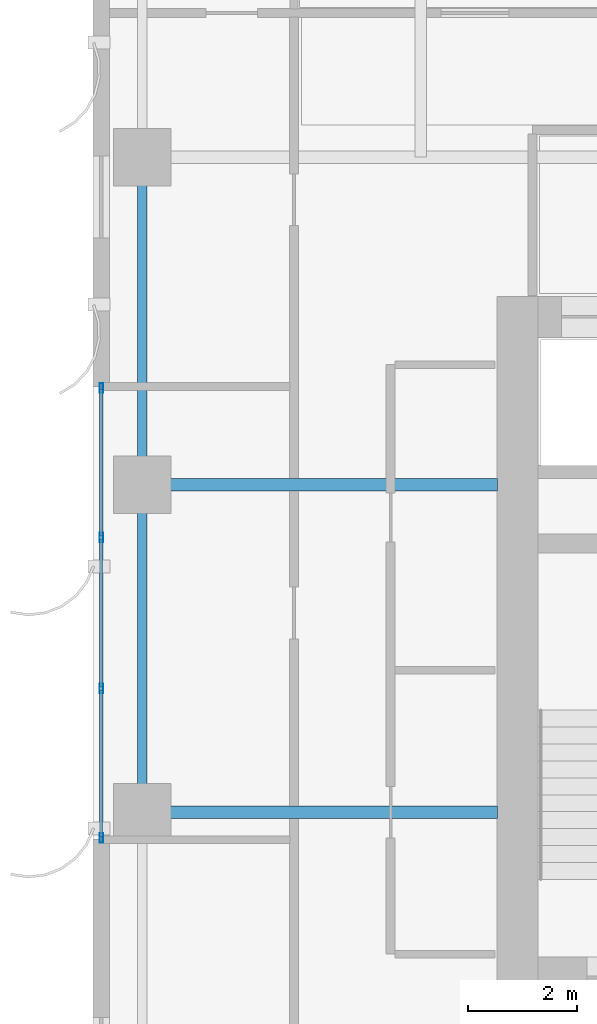
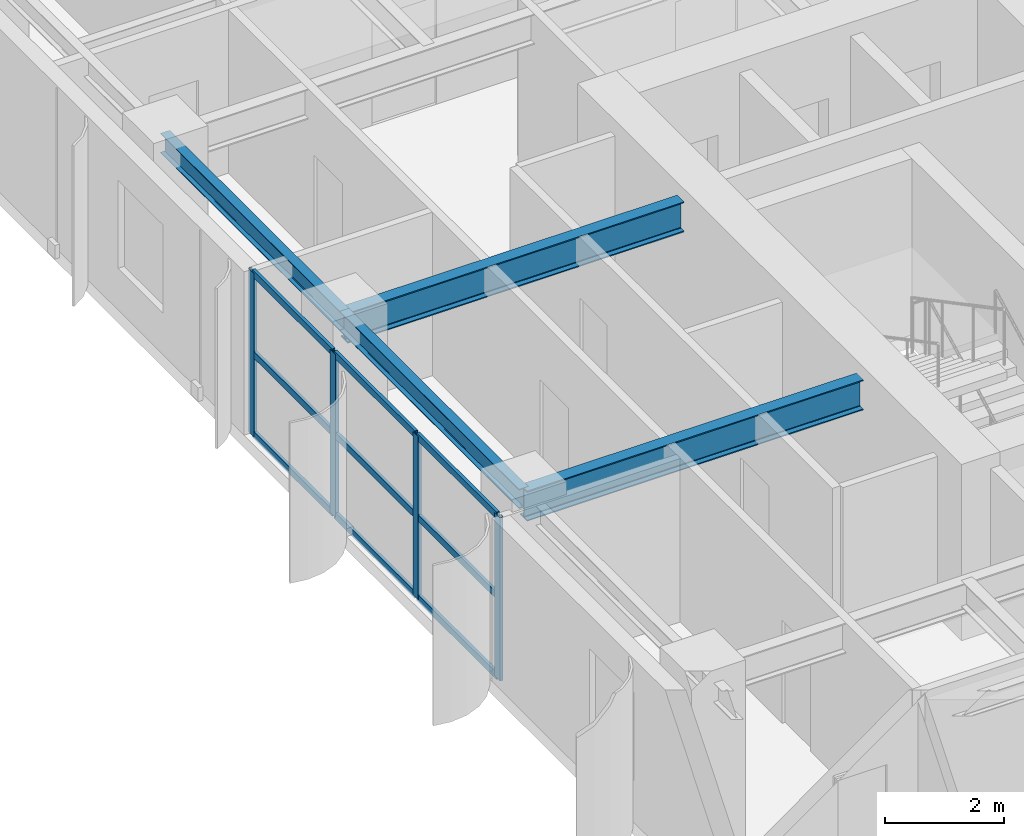
# One storey, part 4 of 22: 13 members, 4 beams, 1 element without a shape of its own.
"""IFC4 building model written with IfcOpenShell, lengths in metres."""

import ifcopenshell
import ifcopenshell.guid

model = None  # the IFC model being written
_history = None  # IfcOwnerHistory: only IFC2X3 demands one
_inside = {}  # id of a spatial element -> (the spatial element, [elements in it])
_under = {}  # id of a project, library or spatial element -> (it, [spatial elements below it])
_declared = {}  # id of a project -> (the project, [libraries it declares])
_typed = {}  # id of a type object -> (the type object, [elements of that type])
_made_of = {}  # id of a material, layer set ... -> (it, [elements and type objects made of it])


def new_model(schema):
    """Start an empty IFC model of exactly this schema.

    Asked for "IFC4X3", IfcOpenShell would pick the latest addendum, in which some entities
    have other attributes; the version numbers below select the first issue.
    IFC2X3 requires an IfcOwnerHistory on every rooted entity: one is made here for all.
    """
    global model, _history
    if schema == "IFC4X3":
        model = ifcopenshell.file(schema_version=(4, 3, 0, 0))
    else:
        model = ifcopenshell.file(schema=schema)
    _inside.clear()
    _under.clear()
    _declared.clear()
    _typed.clear()
    _made_of.clear()
    _history = None
    if model.schema == "IFC2X3":
        org = make("IfcOrganization", Name="unknown")
        user = make(
            "IfcPersonAndOrganization",
            ThePerson=make("IfcPerson", FamilyName="unknown"),
            TheOrganization=org,
        )
        app = make(
            "IfcApplication",
            ApplicationDeveloper=org,
            Version="unknown",
            ApplicationFullName="unknown",
            ApplicationIdentifier="unknown",
        )
        _history = make(
            "IfcOwnerHistory",
            OwningUser=user,
            OwningApplication=app,
            ChangeAction="ADDED",
            CreationDate=0,
        )
    return model


def make(cls, **values):
    """One entity of the class cls with the attributes given. An attribute that is None is left unset."""
    return model.create_entity(
        cls, **{name: value for name, value in values.items() if value is not None}
    )


def rooted(cls, **values):
    """An entity with a GlobalId (a new one), such as an element, a storey or a relation."""
    return make(cls, GlobalId=ifcopenshell.guid.new(), OwnerHistory=_history, **values)


def si_unit(unit_type, name, prefix=None):
    """IfcSIUnit, for example si_unit("LENGTHUNIT", "METRE", prefix="MILLI")."""
    return make("IfcSIUnit", UnitType=unit_type, Prefix=prefix, Name=name)


def assignment(units):
    """IfcUnitAssignment: the units of a project."""
    return None if units is None else make("IfcUnitAssignment", Units=units)


def point(xyz):
    """IfcCartesianPoint."""
    return None if xyz is None else make("IfcCartesianPoint", Coordinates=xyz)


def direction(xyz):
    """IfcDirection."""
    return None if xyz is None else make("IfcDirection", DirectionRatios=xyz)


def frame(location, z_axis=None, x_axis=None):
    """IfcAxis2Placement3D, a coordinate frame: its origin and axes. An axis left out is left unset."""
    return make(
        "IfcAxis2Placement3D",
        Location=point(location),
        Axis=direction(z_axis),
        RefDirection=direction(x_axis),
    )


def frame_2d(location, x_axis=None):
    """IfcAxis2Placement2D, a coordinate frame in the plane: its origin and x axis."""
    return make(
        "IfcAxis2Placement2D", Location=point(location), RefDirection=direction(x_axis)
    )


def origin():
    """The frame at (0, 0, 0) with its axes left unset."""
    return frame((0.0, 0.0, 0.0))


def origin_2d():
    """The frame at (0, 0) in the plane with its x axis left unset."""
    return frame_2d((0.0, 0.0))


def place(relative_to, where):
    """IfcLocalPlacement: puts the frame where relative to a parent placement (None: the world)."""
    return make(
        "IfcLocalPlacement", PlacementRelTo=relative_to, RelativePlacement=where
    )


def context(
    kind, dimensions, precision=None, world=None, true_north=None, identifier=None
):
    """IfcGeometricRepresentationContext, for example the 3D "Model" context."""
    return make(
        "IfcGeometricRepresentationContext",
        ContextIdentifier=identifier,
        ContextType=kind,
        CoordinateSpaceDimension=dimensions,
        Precision=precision,
        WorldCoordinateSystem=world,
        TrueNorth=true_north,
    )


def subcontext(parent, identifier, kind, view, scale=None):
    """IfcGeometricRepresentationSubContext, for example "Body" below "Model"."""
    return make(
        "IfcGeometricRepresentationSubContext",
        ContextIdentifier=identifier,
        ContextType=kind,
        ParentContext=parent,
        TargetScale=scale,
        TargetView=view,
    )


def project(units=None, contexts=None):
    """IfcProject with its units and contexts."""
    return rooted(
        "IfcProject",
        Name="project",
        RepresentationContexts=contexts,
        UnitsInContext=assignment(units),
    )


def spatial(cls, under=None, at=None, **own):
    """A site, building, storey or space (cls), placed at a placement, below another one or the project."""
    s = rooted(cls, ObjectPlacement=at, **own)
    if under is not None:
        _under.setdefault(under.id(), (under, []))[1].append(s)
    return s


def profile(cls, at=None, kind="AREA", **sizes):
    """A parametric profile (cls). Its sizes go by their IFC names, for example OverallWidth=200.0."""
    return make(cls, ProfileType=kind, Position=at, **sizes)


def hollow_rectangle(**sizes):
    """IfcRectangleHollowProfileDef."""
    return profile("IfcRectangleHollowProfileDef", **sizes)


def i_section(**sizes):
    """IfcIShapeProfileDef."""
    return profile("IfcIShapeProfileDef", **sizes)


def extrude(swept, where, along, depth):
    """IfcExtrudedAreaSolid: the profile swept, set in the frame where, extruded along a direction by depth."""
    return make(
        "IfcExtrudedAreaSolid",
        SweptArea=swept,
        Position=where,
        ExtrudedDirection=direction(along),
        Depth=depth,
    )


def shape(context_of_items, identifier, shape_type, items):
    """IfcShapeRepresentation: the items that make up one representation, for example the "Body"."""
    return make(
        "IfcShapeRepresentation",
        ContextOfItems=context_of_items,
        RepresentationIdentifier=identifier,
        RepresentationType=shape_type,
        Items=items,
    )


def source(mapping_origin, context_of_items, identifier, shape_type, items):
    """IfcRepresentationMap: a shape defined once, which mapped items show again and again."""
    return make(
        "IfcRepresentationMap",
        MappingOrigin=mapping_origin,
        MappedRepresentation=shape(context_of_items, identifier, shape_type, items),
    )


def transform(
    local_origin,
    x_axis=None,
    y_axis=None,
    z_axis=None,
    scale=None,
    scale2=None,
    scale3=None,
    uniform=True,
):
    """IfcCartesianTransformationOperator3D, or its non-uniform kind. x_axis, y_axis, z_axis: its Axis1, 2, 3."""
    if uniform:
        return make(
            "IfcCartesianTransformationOperator3D",
            Axis1=direction(x_axis),
            Axis2=direction(y_axis),
            LocalOrigin=point(local_origin),
            Scale=scale,
            Axis3=direction(z_axis),
        )
    return make(
        "IfcCartesianTransformationOperator3DnonUniform",
        Axis1=direction(x_axis),
        Axis2=direction(y_axis),
        LocalOrigin=point(local_origin),
        Scale=scale,
        Axis3=direction(z_axis),
        Scale2=scale2,
        Scale3=scale3,
    )


def mapped(mapping_source, mapping_target):
    """IfcMappedItem: shows the shape of a source again, moved by a transform."""
    return make(
        "IfcMappedItem", MappingSource=mapping_source, MappingTarget=mapping_target
    )


def material(Name=None, Category=None):
    """IfcMaterial."""
    return make("IfcMaterial", Name=Name, Category=Category)


def layer(
    of_material, thickness, ventilated=None, Name=None, Category=None, Priority=None
):
    """IfcMaterialLayer: one layer of a wall or slab, of a material (None: an air gap)."""
    return make(
        "IfcMaterialLayer",
        Material=of_material,
        LayerThickness=thickness,
        IsVentilated=ventilated,
        Name=Name,
        Category=Category,
        Priority=Priority,
    )


def layer_set(layers, Name=None):
    """IfcMaterialLayerSet."""
    return make("IfcMaterialLayerSet", MaterialLayers=layers, LayerSetName=Name)


def material_profile(
    of_material, cross_section, Name=None, Category=None, Priority=None
):
    """IfcMaterialProfile: a cross section and its material."""
    return make(
        "IfcMaterialProfile",
        Name=Name,
        Material=of_material,
        Profile=cross_section,
        Priority=Priority,
        Category=Category,
    )


def profile_set(profiles, Name=None, composite=None):
    """IfcMaterialProfileSet."""
    return make(
        "IfcMaterialProfileSet",
        Name=Name,
        MaterialProfiles=profiles,
        CompositeProfile=composite,
    )


def made_of(thing, what):
    """Note that an element or type object is made of a material, layer set ...; save() writes the relation."""
    if what is not None:
        _made_of.setdefault(what.id(), (what, []))[1].append(thing)
    return thing


def type_object(cls, material=None, **own):
    """A type object (cls), such as IfcWallType, which elements share."""
    return made_of(rooted(cls, **own), material)


def element(
    cls,
    number,
    at=None,
    inside=None,
    cuts=None,
    type_object=None,
    material=None,
    context=None,
    identifier="Body",
    shape_type=None,
    held_by="IfcProductDefinitionShape",
    body=None,
    shapes=None,
    **own,
):
    """One element of the class cls, such as IfcWall. Its Tag is "e" and its number.

    at: its placement. inside: the storey or other place that contains it. cuts: it is an
    opening in that element (IfcRelVoidsElement). A single representation is given by context,
    identifier, shape_type and body (its items); several are given by shapes. held_by: the class
    of the entity that holds the representations. save() writes the other relations.
    """
    e = rooted(cls, Tag="e%d" % number, ObjectPlacement=at, **own)
    if body is not None:
        shapes = [shape(context, identifier, shape_type, body)]
    if shapes is not None:
        e.Representation = make(held_by, Representations=shapes)
    if inside is not None:
        _inside.setdefault(inside.id(), (inside, []))[1].append(e)
    if cuts is not None:
        rooted(
            "IfcRelVoidsElement", RelatingBuildingElement=cuts, RelatedOpeningElement=e
        )
    if type_object is not None:
        _typed.setdefault(type_object.id(), (type_object, []))[1].append(e)
    return made_of(e, material)


def aggregate(whole, parts):
    """IfcRelAggregates: a whole, such as a stair, and the parts it consists of."""
    return rooted("IfcRelAggregates", RelatingObject=whole, RelatedObjects=parts)


def save(model, path):
    """Write the relations noted so far, then the file.

    IfcRelAggregates (storeys below a building ...), IfcRelContainedInSpatialStructure (elements
    in a storey), IfcRelDefinesByType, IfcRelAssociatesMaterial and IfcRelDeclares: one each for
    every whole, place, type object, material and project.
    """
    for whole, parts in _under.values():
        aggregate(whole, parts)
    for where, things in _inside.values():
        rooted(
            "IfcRelContainedInSpatialStructure",
            RelatedElements=things,
            RelatingStructure=where,
        )
    for kind, things in _typed.values():
        rooted("IfcRelDefinesByType", RelatedObjects=things, RelatingType=kind)
    for what, things in _made_of.values():
        rooted("IfcRelAssociatesMaterial", RelatedObjects=things, RelatingMaterial=what)
    for by, libraries in _declared.values():
        rooted("IfcRelDeclares", RelatingContext=by, RelatedDefinitions=libraries)
    model.write(path)


model = new_model("IFC4")

# Units and contexts
model_context = context("Model", 3, precision=1e-05, world=origin(), true_north=direction((0.0, 1.0)))
body_context = subcontext(model_context, "Body", "Model", "MODEL_VIEW")
ifc_project = project(units=[si_unit("LENGTHUNIT", "METRE"), si_unit("AREAUNIT", "SQUARE_METRE"), si_unit("VOLUMEUNIT", "CUBIC_METRE"), si_unit("PLANEANGLEUNIT", "RADIAN"), si_unit("MASSUNIT", "GRAM", prefix="KILO")], contexts=[model_context])

# Site, building, storey
site_placement = place(None, origin())
site = spatial("IfcSite", under=ifc_project, at=site_placement, CompositionType="ELEMENT")
building_placement = place(site_placement, origin())
building = spatial("IfcBuilding", under=site, at=building_placement, Name="Khoralis Quay Care Tower", CompositionType="ELEMENT")
storey_placement = place(building_placement, frame((0.0, 0.0, 101.699951171875)))
storey = spatial("IfcBuildingStorey", under=building, at=storey_placement, Name="L26", CompositionType="ELEMENT", Elevation=101.699951171875)

# Beams
ifc_material_1 = material(Name="Steel S355", Category="steel")
ifc_material_profile_1 = material_profile(ifc_material_1, i_section(OverallWidth=0.179931640625, OverallDepth=0.39990234375, WebThickness=0.008544921875, FlangeThickness=0.013427734375, FilletRadius=0.02099609375, at=origin_2d()), Name="Steel S355")
ifc_profile_set_1 = profile_set([ifc_material_profile_1], Name="Steel S355")
beam_type_1 = type_object("IfcBeamType", Name="BM-IPE400", PredefinedType="SPANDREL", material=ifc_profile_set_1)
shared_shape_1 = source(origin(), body_context, "Body", "SweptSolid", [
    extrude(i_section(OverallWidth=0.179931640625, OverallDepth=0.39990234375, WebThickness=0.008544921875, FlangeThickness=0.013427734375, FilletRadius=0.02099609375, at=origin_2d()), origin(), (0.0, 0.0, 1.0), 6.0),
])
for number, where, z_axis, x_axis, name in (
    (1, (0.89990234375, 18.0, 3.14013671875), (0.0, 1.0, 0.0), (-1.0, 0.0, 0.0), "BM-TSP-L26-13"),
    (2, (0.89990234375, 24.0, 3.14013671875), (0.0, 1.0, 0.0), (-1.0, 0.0, 0.0), "BM-TSP-L26-14"),
):
    element("IfcBeam", number, at=place(storey_placement, frame(where, z_axis=z_axis, x_axis=x_axis)), inside=storey, type_object=beam_type_1, Name=name, PredefinedType="SPANDREL", context=body_context, shape_type="MappedRepresentation", body=[
        mapped(shared_shape_1, transform((0.0, 0.0, 0.0), scale=1.0)),
    ])
ifc_material_profile_2 = material_profile(ifc_material_1, i_section(OverallWidth=0.22998046875, OverallDepth=0.616943359375, WebThickness=0.01318359375, FlangeThickness=0.022216796875, FilletRadius=0.01806640625, at=origin_2d()), Name="Steel S355")
ifc_profile_set_2 = profile_set([ifc_material_profile_2], Name="Steel S355")
beam_type_2 = type_object("IfcBeamType", Name="BM-W610X140", PredefinedType="BEAM", material=ifc_profile_set_2)
shared_shape_2 = source(origin(), body_context, "Body", "SweptSolid", [
    extrude(i_section(OverallWidth=0.22998046875, OverallDepth=0.616943359375, WebThickness=0.01318359375, FlangeThickness=0.022216796875, FilletRadius=0.01806640625, at=origin_2d()), origin(), (0.0, 0.0, 1.0), 6.502197265625),
])
for number, where, z_axis, x_axis, name in (
    (3, (0.89990234375, 18.0, 3.031494140625), (1.0, 0.0, 0.0), (0.0, 1.0, 0.0), "BM-TGXW-L26-180"),
    (4, (0.89990234375, 24.0, 3.031494140625), (1.0, 0.0, 0.0), (0.0, 1.0, 0.0), "BM-TGXW-L26-240"),
):
    element("IfcBeam", number, at=place(storey_placement, frame(where, z_axis=z_axis, x_axis=x_axis)), inside=storey, type_object=beam_type_2, Name=name, PredefinedType="BEAM", context=body_context, shape_type="MappedRepresentation", body=[
        mapped(shared_shape_2, transform((0.0, 0.0, 0.0), scale=1.0)),
    ])

# Curtain wall, members
ifc_material_2 = material(Name="Pale anodised aluminium", Category="aluminium")
ifc_layer = layer(ifc_material_2, 0.169921875)
ifc_layer_set = layer_set([ifc_layer], Name="Pale anodised aluminium")
curtain_wall_type = type_object("IfcCurtainWallType", Name="CW-SYS-Z2", PredefinedType="NOTDEFINED", material=ifc_layer_set)
curtain_wall_placement = place(storey_placement, origin())
curtain_wall = element("IfcCurtainWall", 5, at=curtain_wall_placement, inside=storey, type_object=curtain_wall_type, Name="L26 Unitised Curtain Wall CW-L26-P1-E15", PredefinedType="NOTDEFINED")
ifc_material_profile_3 = material_profile(ifc_material_2, hollow_rectangle(XDim=0.06494140625, YDim=0.179931640625, WallThickness=0.00390625, at=origin_2d()), Name="Pale anodised aluminium")
ifc_profile_set_3 = profile_set([ifc_material_profile_3], Name="Pale anodised aluminium")
member_type_1 = type_object("IfcMemberType", Name="CW-MUL-180", PredefinedType="MULLION", material=ifc_profile_set_3)
shared_shape_3 = source(origin(), body_context, "Body", "SweptSolid", [
    extrude(hollow_rectangle(XDim=0.06494140625, YDim=0.179931640625, WallThickness=0.00390625, at=origin_2d()), origin(), (0.0, 0.0, 1.0), 3.340087890625),
])
member_1_placement = place(storey_placement, frame((0.14990234375, 25.77001953125, 0.0), z_axis=(0.0, 0.0, 1.0), x_axis=(1.0, 0.0, 0.0)))
member_1 = element("IfcMember", 6, at=member_1_placement, type_object=member_type_1, Name="CW2 mullion 1", PredefinedType="MULLION", context=body_context, shape_type="MappedRepresentation", body=[
    mapped(shared_shape_3, transform((0.0, 0.0, 0.0), scale=1.0)),
])
member_2_placement = place(storey_placement, frame((0.14990234375, 23.033447265625, 0.0), z_axis=(0.0, 0.0, 1.0), x_axis=(1.0, 0.0, 0.0)))
member_2 = element("IfcMember", 7, at=member_2_placement, type_object=member_type_1, Name="CW2 mullion 2", PredefinedType="MULLION", context=body_context, shape_type="MappedRepresentation", body=[
    mapped(shared_shape_3, transform((0.0, 0.0, 0.0), scale=1.0)),
])
member_3_placement = place(storey_placement, frame((0.14990234375, 20.2666015625, 0.0), z_axis=(0.0, 0.0, 1.0), x_axis=(1.0, 0.0, 0.0)))
member_3 = element("IfcMember", 8, at=member_3_placement, type_object=member_type_1, Name="CW2 mullion 3", PredefinedType="MULLION", context=body_context, shape_type="MappedRepresentation", body=[
    mapped(shared_shape_3, transform((0.0, 0.0, 0.0), scale=1.0)),
])
member_4_placement = place(storey_placement, frame((0.14990234375, 17.530029296875, 0.0), z_axis=(0.0, 0.0, 1.0), x_axis=(1.0, 0.0, 0.0)))
member_4 = element("IfcMember", 9, at=member_4_placement, type_object=member_type_1, Name="CW2 mullion 4", PredefinedType="MULLION", context=body_context, shape_type="MappedRepresentation", body=[
    mapped(shared_shape_3, transform((0.0, 0.0, 0.0), scale=1.0)),
])
ifc_material_profile_4 = material_profile(ifc_material_2, hollow_rectangle(XDim=0.06005859375, YDim=0.139892578125, WallThickness=0.00390625, at=origin_2d()), Name="Pale anodised aluminium")
ifc_profile_set_4 = profile_set([ifc_material_profile_4], Name="Pale anodised aluminium")
member_type_2 = type_object("IfcMemberType", Name="CW-TRN-140", PredefinedType="USERDEFINED", material=ifc_profile_set_4)
shared_shape_4 = source(origin(), body_context, "Body", "SweptSolid", [
    extrude(hollow_rectangle(XDim=0.06005859375, YDim=0.139892578125, WallThickness=0.00390625, at=origin_2d()), origin(), (0.0, 0.0, 1.0), 2.6767578125),
])
member_5_placement = place(storey_placement, frame((0.14990234375, 25.739990234375, 0.030029296875), z_axis=(0.0, -1.0, 0.0), x_axis=(1.0, 0.0, 0.0)))
member_5 = element("IfcMember", 10, at=member_5_placement, type_object=member_type_2, Name="CW2 transom 1.1", ObjectType="TRANSOM", PredefinedType="USERDEFINED", context=body_context, shape_type="MappedRepresentation", body=[
    mapped(shared_shape_4, transform((0.0, 0.0, 0.0), scale=1.0)),
])
member_6_placement = place(storey_placement, frame((0.14990234375, 25.739990234375, 1.670166015625), z_axis=(0.0, -1.0, 0.0), x_axis=(1.0, 0.0, 0.0)))
member_6 = element("IfcMember", 11, at=member_6_placement, type_object=member_type_2, Name="CW2 transom 1.2", ObjectType="TRANSOM", PredefinedType="USERDEFINED", context=body_context, shape_type="MappedRepresentation", body=[
    mapped(shared_shape_4, transform((0.0, 0.0, 0.0), scale=1.0)),
])
member_7_placement = place(storey_placement, frame((0.14990234375, 25.739990234375, 3.31005859375), z_axis=(0.0, -1.0, 0.0), x_axis=(1.0, 0.0, 0.0)))
member_7 = element("IfcMember", 12, at=member_7_placement, type_object=member_type_2, Name="CW2 transom 1.3", ObjectType="TRANSOM", PredefinedType="USERDEFINED", context=body_context, shape_type="MappedRepresentation", body=[
    mapped(shared_shape_4, transform((0.0, 0.0, 0.0), scale=1.0)),
])
shared_shape_5 = source(origin(), body_context, "Body", "SweptSolid", [
    extrude(hollow_rectangle(XDim=0.06005859375, YDim=0.139892578125, WallThickness=0.00390625, at=origin_2d()), origin(), (0.0, 0.0, 1.0), 2.676513671875),
])
member_8_placement = place(storey_placement, frame((0.14990234375, 20.236572265625, 0.030029296875), z_axis=(0.0, -1.0, 0.0), x_axis=(1.0, 0.0, 0.0)))
member_8 = element("IfcMember", 13, at=member_8_placement, type_object=member_type_2, Name="CW2 transom 3.1", ObjectType="TRANSOM", PredefinedType="USERDEFINED", context=body_context, shape_type="MappedRepresentation", body=[
    mapped(shared_shape_5, transform((0.0, 0.0, 0.0), scale=1.0)),
])
member_9_placement = place(storey_placement, frame((0.14990234375, 20.236572265625, 1.670166015625), z_axis=(0.0, -1.0, 0.0), x_axis=(1.0, 0.0, 0.0)))
member_9 = element("IfcMember", 14, at=member_9_placement, type_object=member_type_2, Name="CW2 transom 3.2", ObjectType="TRANSOM", PredefinedType="USERDEFINED", context=body_context, shape_type="MappedRepresentation", body=[
    mapped(shared_shape_5, transform((0.0, 0.0, 0.0), scale=1.0)),
])
member_10_placement = place(storey_placement, frame((0.14990234375, 20.236572265625, 3.31005859375), z_axis=(0.0, -1.0, 0.0), x_axis=(1.0, 0.0, 0.0)))
member_10 = element("IfcMember", 15, at=member_10_placement, type_object=member_type_2, Name="CW2 transom 3.3", ObjectType="TRANSOM", PredefinedType="USERDEFINED", context=body_context, shape_type="MappedRepresentation", body=[
    mapped(shared_shape_5, transform((0.0, 0.0, 0.0), scale=1.0)),
])
shared_shape_6 = source(origin(), body_context, "Body", "SweptSolid", [
    extrude(hollow_rectangle(XDim=0.06005859375, YDim=0.139892578125, WallThickness=0.00390625, at=origin_2d()), origin(), (0.0, 0.0, 1.0), 2.706787109375),
])
member_11_placement = place(storey_placement, frame((0.14990234375, 23.00341796875, 0.030029296875), z_axis=(0.0, -1.0, 0.0), x_axis=(1.0, 0.0, 0.0)))
member_11 = element("IfcMember", 16, at=member_11_placement, type_object=member_type_2, Name="CW2 transom 2.1", ObjectType="TRANSOM", PredefinedType="USERDEFINED", context=body_context, shape_type="MappedRepresentation", body=[
    mapped(shared_shape_6, transform((0.0, 0.0, 0.0), scale=1.0)),
])
member_12_placement = place(storey_placement, frame((0.14990234375, 23.00341796875, 1.670166015625), z_axis=(0.0, -1.0, 0.0), x_axis=(1.0, 0.0, 0.0)))
member_12 = element("IfcMember", 17, at=member_12_placement, type_object=member_type_2, Name="CW2 transom 2.2", ObjectType="TRANSOM", PredefinedType="USERDEFINED", context=body_context, shape_type="MappedRepresentation", body=[
    mapped(shared_shape_6, transform((0.0, 0.0, 0.0), scale=1.0)),
])
member_13_placement = place(storey_placement, frame((0.14990234375, 23.00341796875, 3.31005859375), z_axis=(0.0, -1.0, 0.0), x_axis=(1.0, 0.0, 0.0)))
member_13 = element("IfcMember", 18, at=member_13_placement, type_object=member_type_2, Name="CW2 transom 2.3", ObjectType="TRANSOM", PredefinedType="USERDEFINED", context=body_context, shape_type="MappedRepresentation", body=[
    mapped(shared_shape_6, transform((0.0, 0.0, 0.0), scale=1.0)),
])
aggregate(curtain_wall, [member_1, member_2, member_3, member_4, member_5, member_6, member_7, member_11, member_12, member_13, member_8, member_9, member_10])

save(model, "model.ifc")
